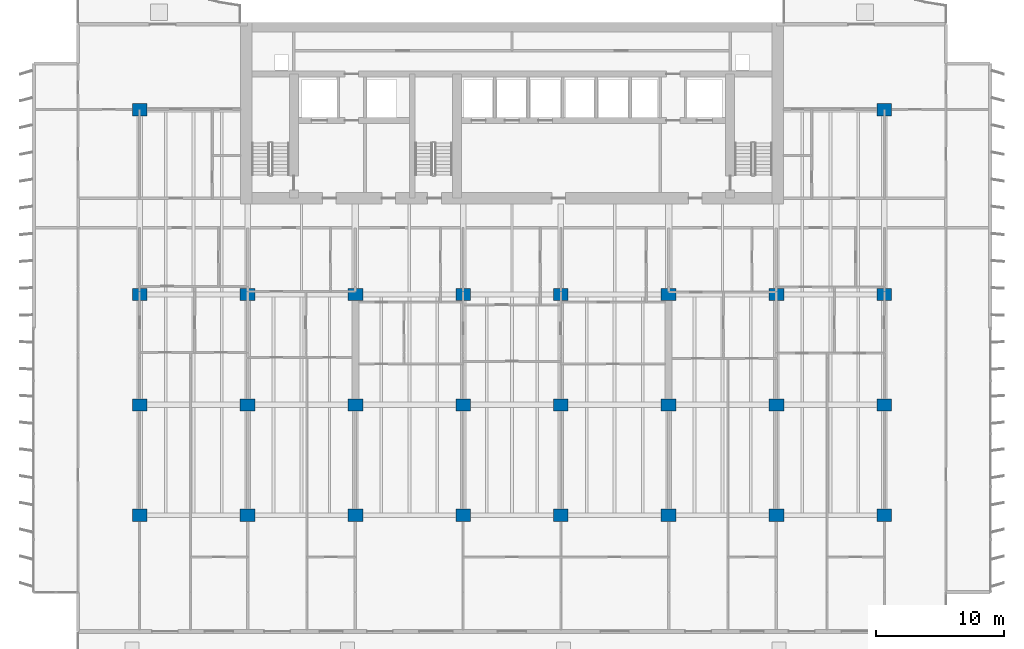
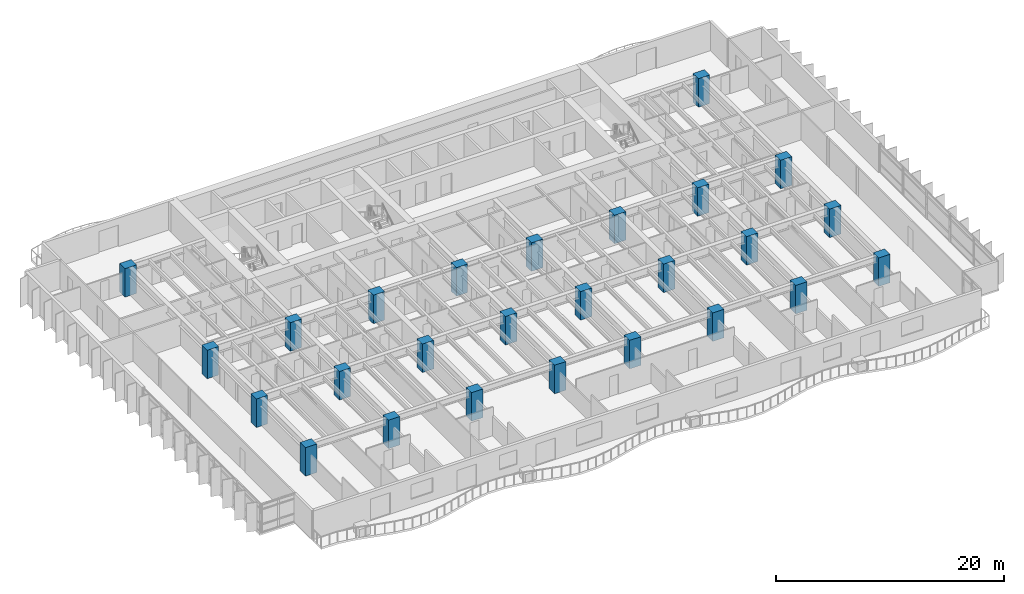
# One storey, part 1 of 17: 26 columns.
"""IFC4 building model written with IfcOpenShell, lengths in metres."""

from ifc_helpers import new_model, si_unit, direction, frame, origin, origin_2d, place, context, subcontext, project, spatial, rectangle, extrude, material, material_profile, profile_set, type_object, element, save


model = new_model("IFC4")

# Units and contexts
model_context = context("Model", 3, precision=1e-05, world=origin(), true_north=direction((0.0, 1.0)))
body_context = subcontext(model_context, "Body", "Model", "MODEL_VIEW")
ifc_project = project(units=[si_unit("LENGTHUNIT", "METRE"), si_unit("AREAUNIT", "SQUARE_METRE"), si_unit("VOLUMEUNIT", "CUBIC_METRE"), si_unit("PLANEANGLEUNIT", "RADIAN"), si_unit("MASSUNIT", "GRAM", prefix="KILO")], contexts=[model_context])

# Site, building, storey
site_placement = place(None, origin())
site = spatial("IfcSite", under=ifc_project, at=site_placement, CompositionType="ELEMENT")
building_placement = place(site_placement, origin())
building = spatial("IfcBuilding", under=site, at=building_placement, Name="Caelmar Bay Residences", CompositionType="ELEMENT")
storey_placement = place(building_placement, frame((0.0, 0.0, 53.10009765625)))
storey = spatial("IfcBuildingStorey", under=building, at=storey_placement, Name="L13", CompositionType="ELEMENT", Elevation=53.10009765625)

# Columns
ifc_material = material(Name="Concrete f'c 70 MPa (10,000 psi)", Category="concrete")
ifc_material_profile = material_profile(ifc_material, rectangle(XDim=1.14990234375, YDim=0.949951171875, at=origin_2d()), Name="RC-COL-1150X950")
ifc_profile_set = profile_set([ifc_material_profile], Name="Concrete f'c 70 MPa (10,000 psi)")
column_type = type_object("IfcColumnType", Name="COL-RC-1150X950", PredefinedType="COLUMN", material=ifc_profile_set)
for number, where, z_axis, x_axis, name in (
    (1, (9.89990234375, 12.199951171875, 0.0), (0.0, 0.0, 1.0), (1.0, 0.0, 0.0), "L13 Column (9.90,12.20)"),
    (2, (18.300048828125, 12.199951171875, 0.0), (0.0, 0.0, 1.0), (1.0, 0.0, 0.0), "L13 Column (18.30,12.20)"),
    (3, (26.699951171875, 12.199951171875, 0.0), (0.0, 0.0, 1.0), (1.0, 0.0, 0.0), "L13 Column (26.70,12.20)"),
    (4, (35.10009765625, 12.199951171875, 0.0), (0.0, 0.0, 1.0), (1.0, 0.0, 0.0), "L13 Column (35.10,12.20)"),
    (5, (42.699951171875, 12.199951171875, 0.0), (0.0, 0.0, 1.0), (1.0, 0.0, 0.0), "L13 Column (42.70,12.20)"),
    (6, (51.10009765625, 12.199951171875, 0.0), (0.0, 0.0, 1.0), (1.0, 0.0, 0.0), "L13 Column (51.10,12.20)"),
    (7, (59.5, 12.199951171875, 0.0), (0.0, 0.0, 1.0), (1.0, 0.0, 0.0), "L13 Column (59.50,12.20)"),
    (8, (67.89990234375, 12.199951171875, 0.0), (0.0, 0.0, 1.0), (1.0, 0.0, 0.0), "L13 Column (67.90,12.20)"),
    (9, (9.89990234375, 20.800048828125, 0.0), (0.0, 0.0, 1.0), (1.0, 0.0, 0.0), "L13 Column (9.90,20.80)"),
    (10, (18.300048828125, 20.800048828125, 0.0), (0.0, 0.0, 1.0), (1.0, 0.0, 0.0), "L13 Column (18.30,20.80)"),
    (11, (26.699951171875, 20.800048828125, 0.0), (0.0, 0.0, 1.0), (1.0, 0.0, 0.0), "L13 Column (26.70,20.80)"),
    (12, (35.10009765625, 20.800048828125, 0.0), (0.0, 0.0, 1.0), (1.0, 0.0, 0.0), "L13 Column (35.10,20.80)"),
    (13, (42.699951171875, 20.800048828125, 0.0), (0.0, 0.0, 1.0), (1.0, 0.0, 0.0), "L13 Column (42.70,20.80)"),
    (14, (51.10009765625, 20.800048828125, 0.0), (0.0, 0.0, 1.0), (1.0, 0.0, 0.0), "L13 Column (51.10,20.80)"),
    (15, (59.5, 20.800048828125, 0.0), (0.0, 0.0, 1.0), (1.0, 0.0, 0.0), "L13 Column (59.50,20.80)"),
    (16, (67.89990234375, 20.800048828125, 0.0), (0.0, 0.0, 1.0), (1.0, 0.0, 0.0), "L13 Column (67.90,20.80)"),
    (17, (9.89990234375, 29.39990234375, 0.0), (0.0, 0.0, 1.0), (1.0, 0.0, 0.0), "L13 Column (9.90,29.40)"),
    (18, (18.300048828125, 29.39990234375, 0.0), (0.0, 0.0, 1.0), (1.0, 0.0, 0.0), "L13 Column (18.30,29.40)"),
    (19, (26.699951171875, 29.39990234375, 0.0), (0.0, 0.0, 1.0), (1.0, 0.0, 0.0), "L13 Column (26.70,29.40)"),
    (20, (35.10009765625, 29.39990234375, 0.0), (0.0, 0.0, 1.0), (1.0, 0.0, 0.0), "L13 Column (35.10,29.40)"),
    (21, (42.699951171875, 29.39990234375, 0.0), (0.0, 0.0, 1.0), (1.0, 0.0, 0.0), "L13 Column (42.70,29.40)"),
    (22, (51.10009765625, 29.39990234375, 0.0), (0.0, 0.0, 1.0), (1.0, 0.0, 0.0), "L13 Column (51.10,29.40)"),
    (23, (59.5, 29.39990234375, 0.0), (0.0, 0.0, 1.0), (1.0, 0.0, 0.0), "L13 Column (59.50,29.40)"),
    (24, (67.89990234375, 29.39990234375, 0.0), (0.0, 0.0, 1.0), (1.0, 0.0, 0.0), "L13 Column (67.90,29.40)"),
    (25, (9.89990234375, 43.800048828125, 0.0), (0.0, 0.0, 1.0), (1.0, 0.0, 0.0), "L13 Column (9.90,43.80)"),
    (26, (67.89990234375, 43.800048828125, 0.0), (0.0, 0.0, 1.0), (1.0, 0.0, 0.0), "L13 Column (67.90,43.80)"),
):
    element("IfcColumn", number, at=place(storey_placement, frame(where, z_axis=z_axis, x_axis=x_axis)), inside=storey, type_object=column_type, Name=name, PredefinedType="COLUMN", context=body_context, shape_type="SweptSolid", body=[
        extrude(rectangle(XDim=1.14990234375, YDim=0.949951171875, at=origin_2d()), origin(), (0.0, 0.0, 1.0), 3.0498046875),
    ])

save(model, "model.ifc")
